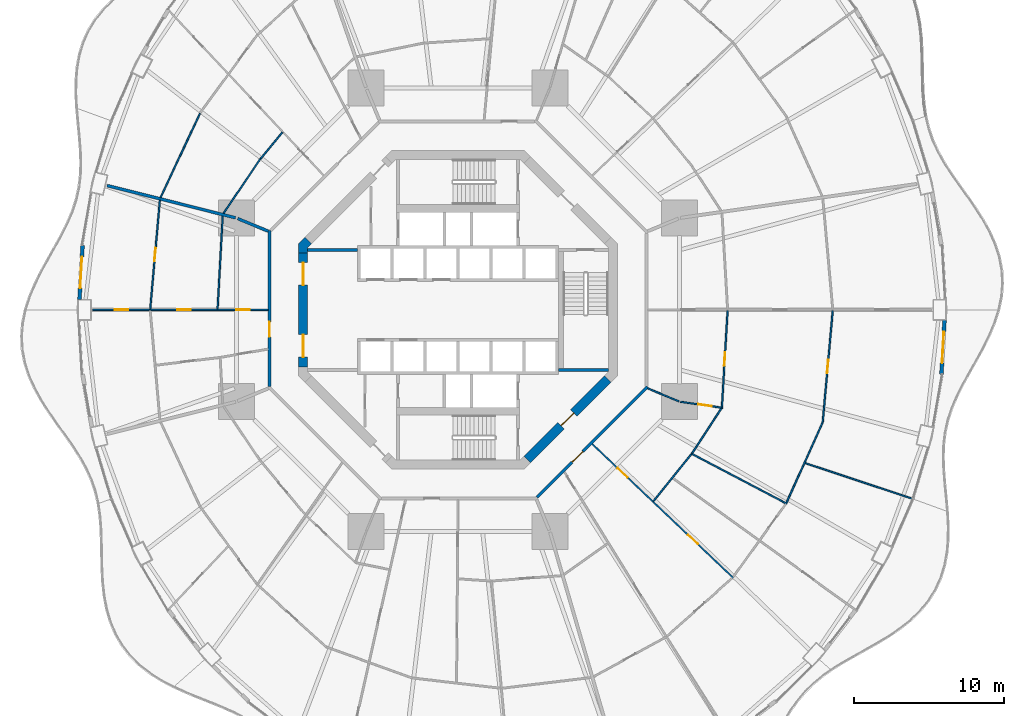
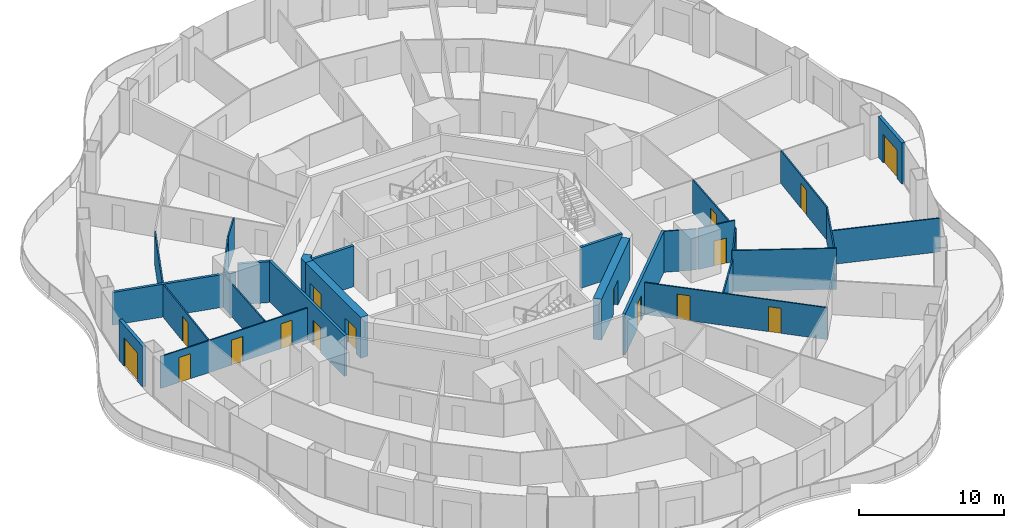
# One storey, part 16 of 22: 27 walls, 16 doors, 16 openings.
"""IFC4 building model written with IfcOpenShell, lengths in metres."""

from ifc_helpers import new_model, si_unit, direction, frame, frame_2d, origin, place, context, subcontext, project, spatial, polyline, rectangle, outline, extrude, material, layer, layer_set, type_object, element, fill, save


model = new_model("IFC4")

# Units and contexts
model_context = context("Model", 3, precision=1e-05, world=origin(), true_north=direction((0.0, 1.0)))
body_context = subcontext(model_context, "Body", "Model", "MODEL_VIEW")
ifc_project = project(units=[si_unit("LENGTHUNIT", "METRE"), si_unit("AREAUNIT", "SQUARE_METRE"), si_unit("VOLUMEUNIT", "CUBIC_METRE"), si_unit("PLANEANGLEUNIT", "RADIAN"), si_unit("MASSUNIT", "GRAM", prefix="KILO")], contexts=[model_context])

# Site, building, storey
site_placement = place(None, origin())
site = spatial("IfcSite", under=ifc_project, at=site_placement, CompositionType="ELEMENT")
building_placement = place(site_placement, origin())
building = spatial("IfcBuilding", under=site, at=building_placement, Name="Nagisa Residences", CompositionType="ELEMENT")
storey_placement = place(building_placement, frame((0.0, 0.0, 52.89990234375)))
storey = spatial("IfcBuildingStorey", under=building, at=storey_placement, Name="L12", CompositionType="ELEMENT", Elevation=52.89990234375)

# Walls
ifc_material_1 = material(Name="Gypsum board on steel studs", Category="steel")
ifc_layer_1 = layer(ifc_material_1, 0.199951171875)
ifc_layer_set_1 = layer_set([ifc_layer_1], Name="Apartment compartment wall EI60 200")
wall_type_1 = type_object("IfcWallType", Name="Apartment compartment wall EI60 200", PredefinedType="PARTITIONING", material=ifc_layer_set_1)
wall_1_placement = place(storey_placement, frame((-12.6572265625, 5.24267578125, 0.0), z_axis=(0.0, 0.0, 1.0), x_axis=(-0.923885664896, 0.382668627144, 0.0)))
element("IfcWall", 1, at=wall_1_placement, inside=storey, type_object=wall_type_1, Name="wall:L12:u04", PredefinedType="PARTITIONING", context=body_context, shape_type="SweptSolid", body=[
    extrude(rectangle(XDim=2.200439453125, YDim=0.199951171875, at=frame_2d((1.10009765625, 0.0))), origin(), (0.0, 0.0, 1.0), 3.440185546875),
])
wall_2_placement = place(storey_placement, frame((-14.83056640625, 6.135009765625, 0.0), z_axis=(0.0, 0.0, 1.0), x_axis=(-0.969884949569, 0.243563512454, 0.0)))
element("IfcWall", 2, at=wall_2_placement, inside=storey, type_object=wall_type_1, Name="wall:L12:u05", PredefinedType="PARTITIONING", context=body_context, shape_type="SweptSolid", body=[
    extrude(rectangle(XDim=8.828857421875, YDim=0.199951171875, at=frame_2d((4.41455078125, 0.0))), origin(), (0.0, 0.0, 1.0), 2.756103515625),
])

# Wall, opening, door
ifc_material_2 = material(Name="Gypsum board on steel studs", Category="steel")
ifc_layer_2 = layer(ifc_material_2, 0.199951171875)
ifc_layer_set_2 = layer_set([ifc_layer_2], Name="Apartment entry wall EI60 200")
wall_type_2 = type_object("IfcWallType", Name="Apartment entry wall EI60 200", PredefinedType="PARTITIONING", material=ifc_layer_set_2)
wall_3_placement = place(storey_placement, frame((-12.564697265625, 5.304443359375, 0.0), z_axis=(0.0, 0.0, 1.0), x_axis=(0.0, -1.0, 0.0)))
wall_3 = element("IfcWall", 3, at=wall_3_placement, inside=storey, type_object=wall_type_2, Name="wall:L12:u14", PredefinedType="PARTITIONING", context=body_context, shape_type="SweptSolid", body=[
    extrude(rectangle(XDim=10.408935546875, YDim=0.199951171875, at=frame_2d((5.20458984375, 0.0))), origin(), (0.0, 0.0, 1.0), 3.440185546875),
])
opening_1_placement = place(wall_3_placement, frame((6.105712890625, 0.0, 0.0)))
opening_1 = element("IfcOpeningElement", 4, at=opening_1_placement, cuts=wall_3, Name="Opening L12-U08", PredefinedType="OPENING", context=body_context, shape_type="SweptSolid", body=[
    extrude(rectangle(XDim=1.0, YDim=2.10009765625, at=frame_2d((0.5, 1.050048828125))), frame((0.0, 0.10986328125, 0.0), z_axis=(0.0, -1.0, 0.0), x_axis=(1.0, 0.0, 0.0)), (0.0, 0.0, 1.0), 0.219970703125),
])
ifc_material_3 = material(Name="Timber fire door set", Category="wood")
door_type_1 = type_object("IfcDoorType", Name="Apartment entry door FD30S 1000x2100", OperationType="NOTDEFINED", PredefinedType="DOOR", material=ifc_material_3)
door_1_placement = place(opening_1_placement, frame((1.0, 0.0, 0.0), x_axis=(-1.0, 0.0, 0.0)))
door_1 = element("IfcDoor", 5, at=door_1_placement, inside=storey, type_object=door_type_1, Name="Entry door, Apartment 12B", OperationType="SINGLE_SWING_LEFT", OverallHeight=2.10009765625, OverallWidth=1.0, PredefinedType="DOOR", context=body_context, shape_type="SweptSolid", body=[
    extrude(rectangle(XDim=1.0, YDim=2.10009765625, at=frame_2d((0.5, 1.050048828125))), frame((0.0, 0.02490234375, 0.0), z_axis=(0.0, -1.0, 0.0), x_axis=(1.0, 0.0, 0.0)), (0.0, 0.0, 1.0), 0.050048828125),
])
fill(opening_1, door_1)

wall_4_placement = place(storey_placement, frame((5.275146484375, -12.494140625, 0.0), z_axis=(0.0, 0.0, 1.0), x_axis=(0.707106781187, 0.707106781187, 0.0)))
wall_4 = element("IfcWall", 6, at=wall_4_placement, inside=storey, type_object=wall_type_2, Name="wall:L12:u17", PredefinedType="PARTITIONING", context=body_context, shape_type="SweptSolid", body=[
    extrude(rectangle(XDim=10.4091796875, YDim=0.199951171875, at=frame_2d((5.20458984375, 0.0))), origin(), (0.0, 0.0, 1.0), 3.440185546875),
])
opening_2_placement = place(wall_4_placement, frame((3.303466796875, 0.0, 0.0)))
opening_2 = element("IfcOpeningElement", 7, at=opening_2_placement, cuts=wall_4, Name="Opening L12-U28", PredefinedType="OPENING", context=body_context, shape_type="SweptSolid", body=[
    extrude(rectangle(XDim=1.0, YDim=2.10009765625, at=frame_2d((0.5, 1.050048828125))), frame((0.0, 0.10986328125, 0.0), z_axis=(0.0, -1.0, 0.0), x_axis=(1.0, 0.0, 0.0)), (0.0, 0.0, 1.0), 0.219970703125),
])
door_2_placement = place(opening_2_placement, frame((1.0, 0.0, 0.0), x_axis=(-1.0, 0.0, 0.0)))
door_2 = element("IfcDoor", 8, at=door_2_placement, inside=storey, type_object=door_type_1, Name="Entry door, Apartment 12D", OperationType="SINGLE_SWING_LEFT", OverallHeight=2.10009765625, OverallWidth=1.0, PredefinedType="DOOR", context=body_context, shape_type="SweptSolid", body=[
    extrude(rectangle(XDim=1.0, YDim=2.10009765625, at=frame_2d((0.5, 1.050048828125))), frame((0.0, 0.02490234375, 0.0), z_axis=(0.0, -1.0, 0.0), x_axis=(1.0, 0.0, 0.0)), (0.0, 0.0, 1.0), 0.050048828125),
])
fill(opening_2, door_2)

ifc_material_4 = material(Name="Gypsum board on steel studs", Category="steel")
ifc_layer_3 = layer(ifc_material_4, 0.10009765625)
ifc_layer_set_3 = layer_set([ifc_layer_3], Name="Apartment partition 100")
wall_type_3 = type_object("IfcWallType", Name="Apartment partition 100", PredefinedType="PARTITIONING", material=ifc_layer_set_3)
wall_5_placement = place(storey_placement, frame((17.971435546875, -0.0498046875, 0.0), z_axis=(0.0, 0.0, 1.0), x_axis=(-0.058476853647, -0.998288764631, 0.0)))
wall_5 = element("IfcWall", 9, at=wall_5_placement, inside=storey, type_object=wall_type_3, Name="wall:L12:u20", PredefinedType="PARTITIONING", context=body_context, shape_type="SweptSolid", body=[
    extrude(rectangle(XDim=6.5380859375, YDim=0.10009765625, at=frame_2d((3.26904296875, 0.0))), origin(), (0.0, 0.0, 1.0), 2.756103515625),
])
opening_3_placement = place(wall_5_placement, frame((2.7939453125, 0.0, 0.0)))
opening_3 = element("IfcOpeningElement", 10, at=opening_3_placement, cuts=wall_5, Name="Opening L12-U35", PredefinedType="OPENING", context=body_context, shape_type="SweptSolid", body=[
    extrude(rectangle(XDim=0.89990234375, YDim=2.10009765625, at=frame_2d((0.449951171875, 1.050048828125))), frame((0.0, 0.06005859375, 0.0), z_axis=(0.0, -1.0, 0.0), x_axis=(1.0, 0.0, 0.0)), (0.0, 0.0, 1.0), 0.1201171875),
])
ifc_material_5 = material(Name="Timber door set", Category="wood")
door_type_2 = type_object("IfcDoorType", Name="Apartment door 900x2100", OperationType="NOTDEFINED", PredefinedType="DOOR", material=ifc_material_5)
door_3_placement = place(opening_3_placement, origin())
door_3 = element("IfcDoor", 11, at=door_3_placement, inside=storey, type_object=door_type_2, Name="Door to dining room, Apartment 12D", OperationType="SINGLE_SWING_LEFT", OverallHeight=2.10009765625, OverallWidth=0.89990234375, PredefinedType="DOOR", context=body_context, shape_type="SweptSolid", body=[
    extrude(rectangle(XDim=0.89990234375, YDim=2.10009765625, at=frame_2d((0.449951171875, 1.050048828125))), frame((0.0, 0.02490234375, 0.0), z_axis=(0.0, -1.0, 0.0), x_axis=(1.0, 0.0, 0.0)), (0.0, 0.0, 1.0), 0.050048828125),
])
fill(opening_3, door_3)

wall_6_placement = place(storey_placement, frame((24.982177734375, -0.0498046875, 0.0), z_axis=(0.0, 0.0, 1.0), x_axis=(-0.089444214321, -0.995991833563, 0.0)))
wall_6 = element("IfcWall", 12, at=wall_6_placement, inside=storey, type_object=wall_type_3, Name="wall:L12:u22", PredefinedType="PARTITIONING", context=body_context, shape_type="SweptSolid", body=[
    extrude(rectangle(XDim=7.522705078125, YDim=0.10009765625, at=frame_2d((3.76123046875, 0.0))), origin(), (0.0, 0.0, 1.0), 2.756103515625),
])
opening_4_placement = place(wall_6_placement, frame((3.286376953125, 0.0, 0.0)))
opening_4 = element("IfcOpeningElement", 13, at=opening_4_placement, cuts=wall_6, Name="Opening L12-U40", PredefinedType="OPENING", context=body_context, shape_type="SweptSolid", body=[
    extrude(rectangle(XDim=0.89990234375, YDim=2.10009765625, at=frame_2d((0.449951171875, 1.050048828125))), frame((0.0, 0.06005859375, 0.0), z_axis=(0.0, -1.0, 0.0), x_axis=(1.0, 0.0, 0.0)), (0.0, 0.0, 1.0), 0.1201171875),
])
door_4_placement = place(opening_4_placement, origin())
door_4 = element("IfcDoor", 14, at=door_4_placement, inside=storey, type_object=door_type_2, Name="Door to living room, Apartment 12D", OperationType="SINGLE_SWING_RIGHT", OverallHeight=2.10009765625, OverallWidth=0.89990234375, PredefinedType="DOOR", context=body_context, shape_type="SweptSolid", body=[
    extrude(rectangle(XDim=0.89990234375, YDim=2.10009765625, at=frame_2d((0.449951171875, 1.050048828125))), frame((0.0, 0.02490234375, 0.0), z_axis=(0.0, -1.0, 0.0), x_axis=(1.0, 0.0, 0.0)), (0.0, 0.0, 1.0), 0.050048828125),
])
fill(opening_4, door_4)

# Walls
wall_7_placement = place(storey_placement, frame((-11.70458984375, 11.824951171875, 0.0), z_axis=(0.0, 0.0, 1.0), x_axis=(-0.640861724905, -0.767656335577, 0.0)))
element("IfcWall", 15, at=wall_7_placement, inside=storey, type_object=wall_type_3, Name="wall:L12:u50", PredefinedType="PARTITIONING", context=body_context, shape_type="SweptSolid", body=[
    extrude(rectangle(XDim=2.268310546875, YDim=0.10009765625, at=frame_2d((1.13427734375, 0.0))), origin(), (0.0, 0.0, 1.0), 2.756103515625),
])
wall_8_placement = place(storey_placement, frame((-13.162353515625, 10.086669921875, 0.0), z_axis=(0.0, 0.0, 1.0), x_axis=(-0.55912750241, -0.829081682375, 0.0)))
element("IfcWall", 16, at=wall_8_placement, inside=storey, type_object=wall_type_3, Name="wall:L12:u51", PredefinedType="PARTITIONING", context=body_context, shape_type="SweptSolid", body=[
    extrude(rectangle(XDim=4.407958984375, YDim=0.10009765625, at=frame_2d((2.2041015625, 0.0))), origin(), (0.0, 0.0, 1.0), 2.756103515625),
])
wall_9_placement = place(storey_placement, frame((-17.20263671875, 13.0947265625, 0.0), z_axis=(0.0, 0.0, 1.0), x_axis=(-0.423926333401, -0.905696673202, 0.0)))
element("IfcWall", 17, at=wall_9_placement, inside=storey, type_object=wall_type_3, Name="wall:L12:u52", PredefinedType="PARTITIONING", context=body_context, shape_type="SweptSolid", body=[
    extrude(rectangle(XDim=6.1875, YDim=0.10009765625, at=frame_2d((3.09375, 0.0))), origin(), (0.0, 0.0, 1.0), 2.756103515625),
])
wall_10_placement = place(storey_placement, frame((-15.688232421875, 6.249267578125, 0.0), z_axis=(0.0, 0.0, 1.0), x_axis=(-0.054659814056, -0.998505034903, 0.0)))
element("IfcWall", 18, at=wall_10_placement, inside=storey, type_object=wall_type_3, Name="wall:L12:u53", PredefinedType="PARTITIONING", context=body_context, shape_type="SweptSolid", body=[
    extrude(rectangle(XDim=6.20849609375, YDim=0.10009765625, at=frame_2d((3.104248046875, 0.0))), origin(), (0.0, 0.0, 1.0), 2.756103515625),
])

# Wall, opening, door
wall_11_placement = place(storey_placement, frame((-19.876708984375, 7.300537109375, 0.0), z_axis=(0.0, 0.0, 1.0), x_axis=(-0.088143415068, -0.996107794558, 0.0)))
wall_11 = element("IfcWall", 19, at=wall_11_placement, inside=storey, type_object=wall_type_3, Name="wall:L12:u54", PredefinedType="PARTITIONING", context=body_context, shape_type="SweptSolid", body=[
    extrude(rectangle(XDim=7.279052734375, YDim=0.10009765625, at=frame_2d((3.6396484375, 0.0))), origin(), (0.0, 0.0, 1.0), 2.756103515625),
])
opening_5_placement = place(wall_11_placement, frame((3.189453125, 0.0, 0.0)))
opening_5 = element("IfcOpeningElement", 20, at=opening_5_placement, cuts=wall_11, Name="Opening L12-U13", PredefinedType="OPENING", context=body_context, shape_type="SweptSolid", body=[
    extrude(rectangle(XDim=0.89990234375, YDim=2.10009765625, at=frame_2d((0.449951171875, 1.050048828125))), frame((0.0, 0.06005859375, 0.0), z_axis=(0.0, -1.0, 0.0), x_axis=(1.0, 0.0, 0.0)), (0.0, 0.0, 1.0), 0.1201171875),
])
door_5_placement = place(opening_5_placement, frame((0.89990234375, 0.0, 0.0), x_axis=(-1.0, 0.0, 0.0)))
door_5 = element("IfcDoor", 21, at=door_5_placement, inside=storey, type_object=door_type_2, Name="Door to family room, Apartment 12B", OperationType="SINGLE_SWING_RIGHT", OverallHeight=2.10009765625, OverallWidth=0.89990234375, PredefinedType="DOOR", context=body_context, shape_type="SweptSolid", body=[
    extrude(rectangle(XDim=0.89990234375, YDim=2.10009765625, at=frame_2d((0.449951171875, 1.050048828125))), frame((0.0, 0.02490234375, 0.0), z_axis=(0.0, -1.0, 0.0), x_axis=(1.0, 0.0, 0.0)), (0.0, 0.0, 1.0), 0.050048828125),
])
fill(opening_5, door_5)

# Wall, openings, doors
wall_12_placement = place(storey_placement, frame((-12.664794921875, 0.0, 0.0), z_axis=(0.0, 0.0, 1.0), x_axis=(-1.0, 0.0, 0.0)))
wall_12 = element("IfcWall", 22, at=wall_12_placement, inside=storey, type_object=wall_type_3, Name="wall:L12:u55", PredefinedType="PARTITIONING", context=body_context, shape_type="SweptSolid", body=[
    extrude(rectangle(XDim=11.685302734375, YDim=0.10009765625, at=frame_2d((5.8427734375, 0.0))), origin(), (0.0, 0.0, 1.0), 2.68701171875),
])
opening_6_placement = place(wall_12_placement, frame((1.23291015625, 0.0, 0.0)))
opening_6 = element("IfcOpeningElement", 23, at=opening_6_placement, cuts=wall_12, Name="Opening L12-U09", PredefinedType="OPENING", context=body_context, shape_type="SweptSolid", body=[
    extrude(rectangle(XDim=0.89990234375, YDim=2.10009765625, at=frame_2d((0.449951171875, 1.050048828125))), frame((0.0, 0.06005859375, 0.0), z_axis=(0.0, -1.0, 0.0), x_axis=(1.0, 0.0, 0.0)), (0.0, 0.0, 1.0), 0.1201171875),
])
opening_7_placement = place(wall_12_placement, frame((5.16162109375, 0.0, 0.0)))
opening_7 = element("IfcOpeningElement", 24, at=opening_7_placement, cuts=wall_12, Name="Opening L12-U11", PredefinedType="OPENING", context=body_context, shape_type="SweptSolid", body=[
    extrude(rectangle(XDim=0.89990234375, YDim=2.10009765625, at=frame_2d((0.449951171875, 1.050048828125))), frame((0.0, 0.06005859375, 0.0), z_axis=(0.0, -1.0, 0.0), x_axis=(1.0, 0.0, 0.0)), (0.0, 0.0, 1.0), 0.1201171875),
])
opening_8_placement = place(wall_12_placement, frame((9.321533203125, 0.0, 0.0)))
opening_8 = element("IfcOpeningElement", 25, at=opening_8_placement, cuts=wall_12, Name="Opening L12-U14", PredefinedType="OPENING", context=body_context, shape_type="SweptSolid", body=[
    extrude(rectangle(XDim=0.89990234375, YDim=2.10009765625, at=frame_2d((0.449951171875, 1.050048828125))), frame((0.0, 0.06005859375, 0.0), z_axis=(0.0, -1.0, 0.0), x_axis=(1.0, 0.0, 0.0)), (0.0, 0.0, 1.0), 0.1201171875),
])
door_6_placement = place(opening_6_placement, frame((0.89990234375, 0.0, 0.0), x_axis=(-1.0, 0.0, 0.0)))
door_6 = element("IfcDoor", 26, at=door_6_placement, inside=storey, type_object=door_type_2, Name="Door to store, Apartment 12B", OperationType="SINGLE_SWING_RIGHT", OverallHeight=2.10009765625, OverallWidth=0.89990234375, PredefinedType="DOOR", context=body_context, shape_type="SweptSolid", body=[
    extrude(rectangle(XDim=0.89990234375, YDim=2.10009765625, at=frame_2d((0.449951171875, 1.050048828125))), frame((0.0, 0.02490234375, 0.0), z_axis=(0.0, -1.0, 0.0), x_axis=(1.0, 0.0, 0.0)), (0.0, 0.0, 1.0), 0.050048828125),
])
fill(opening_6, door_6)
door_7_placement = place(opening_7_placement, frame((0.89990234375, 0.0, 0.0), x_axis=(-1.0, 0.0, 0.0)))
door_7 = element("IfcDoor", 27, at=door_7_placement, inside=storey, type_object=door_type_2, Name="Door to kitchen, Apartment 12B", OperationType="SINGLE_SWING_RIGHT", OverallHeight=2.10009765625, OverallWidth=0.89990234375, PredefinedType="DOOR", context=body_context, shape_type="SweptSolid", body=[
    extrude(rectangle(XDim=0.89990234375, YDim=2.10009765625, at=frame_2d((0.449951171875, 1.050048828125))), frame((0.0, 0.02490234375, 0.0), z_axis=(0.0, -1.0, 0.0), x_axis=(1.0, 0.0, 0.0)), (0.0, 0.0, 1.0), 0.050048828125),
])
fill(opening_7, door_7)
door_8_placement = place(opening_8_placement, origin())
door_8 = element("IfcDoor", 28, at=door_8_placement, inside=storey, type_object=door_type_2, Name="Door to bedroom, Apartment 12B", OperationType="SINGLE_SWING_RIGHT", OverallHeight=2.10009765625, OverallWidth=0.89990234375, PredefinedType="DOOR", context=body_context, shape_type="SweptSolid", body=[
    extrude(rectangle(XDim=0.89990234375, YDim=2.10009765625, at=frame_2d((0.449951171875, 1.050048828125))), frame((0.0, 0.02490234375, 0.0), z_axis=(0.0, -1.0, 0.0), x_axis=(1.0, 0.0, 0.0)), (0.0, 0.0, 1.0), 0.050048828125),
])
fill(opening_8, door_8)

wall_13_placement = place(storey_placement, frame((8.95703125, -8.953369140625, 0.0), z_axis=(0.0, 0.0, 1.0), x_axis=(0.725250022034, -0.688485588476, 0.0)))
wall_13 = element("IfcWall", 29, at=wall_13_placement, inside=storey, type_object=wall_type_3, Name="wall:L12:u83", PredefinedType="PARTITIONING", context=body_context, shape_type="SweptSolid", body=[
    extrude(rectangle(XDim=12.962646484375, YDim=0.10009765625, at=frame_2d((6.4814453125, 0.0))), origin(), (0.0, 0.0, 1.0), 2.68701171875),
])
opening_9_placement = place(wall_13_placement, frame((2.33349609375, 0.0, 0.0)))
opening_9 = element("IfcOpeningElement", 30, at=opening_9_placement, cuts=wall_13, Name="Opening L12-U30", PredefinedType="OPENING", context=body_context, shape_type="SweptSolid", body=[
    extrude(rectangle(XDim=0.89990234375, YDim=2.10009765625, at=frame_2d((0.449951171875, 1.050048828125))), frame((0.0, 0.06005859375, 0.0), z_axis=(0.0, -1.0, 0.0), x_axis=(1.0, 0.0, 0.0)), (0.0, 0.0, 1.0), 0.1201171875),
])
opening_10_placement = place(wall_13_placement, frame((8.78955078125, 0.0, 0.0)))
opening_10 = element("IfcOpeningElement", 31, at=opening_10_placement, cuts=wall_13, Name="Opening L12-U34", PredefinedType="OPENING", context=body_context, shape_type="SweptSolid", body=[
    extrude(rectangle(XDim=0.89990234375, YDim=2.10009765625, at=frame_2d((0.449951171875, 1.050048828125))), frame((0.0, 0.06005859375, 0.0), z_axis=(0.0, -1.0, 0.0), x_axis=(1.0, 0.0, 0.0)), (0.0, 0.0, 1.0), 0.1201171875),
])
door_9_placement = place(opening_9_placement, origin())
door_9 = element("IfcDoor", 32, at=door_9_placement, inside=storey, type_object=door_type_2, Name="Door to store, Apartment 12D", OperationType="SINGLE_SWING_RIGHT", OverallHeight=2.10009765625, OverallWidth=0.89990234375, PredefinedType="DOOR", context=body_context, shape_type="SweptSolid", body=[
    extrude(rectangle(XDim=0.89990234375, YDim=2.10009765625, at=frame_2d((0.449951171875, 1.050048828125))), frame((0.0, 0.02490234375, 0.0), z_axis=(0.0, -1.0, 0.0), x_axis=(1.0, 0.0, 0.0)), (0.0, 0.0, 1.0), 0.050048828125),
])
fill(opening_9, door_9)
door_10_placement = place(opening_10_placement, origin())
door_10 = element("IfcDoor", 33, at=door_10_placement, inside=storey, type_object=door_type_2, Name="Door to family bathroom, Apartment 12D", OperationType="SINGLE_SWING_RIGHT", OverallHeight=2.10009765625, OverallWidth=0.89990234375, PredefinedType="DOOR", context=body_context, shape_type="SweptSolid", body=[
    extrude(rectangle(XDim=0.89990234375, YDim=2.10009765625, at=frame_2d((0.449951171875, 1.050048828125))), frame((0.0, 0.02490234375, 0.0), z_axis=(0.0, -1.0, 0.0), x_axis=(1.0, 0.0, 0.0)), (0.0, 0.0, 1.0), 0.050048828125),
])
fill(opening_10, door_10)

# Walls
wall_14_placement = place(storey_placement, frame((13.02587890625, -12.747314453125, 0.0), z_axis=(0.0, 0.0, 1.0), x_axis=(0.630126826288, 0.776492229705, 0.0)))
element("IfcWall", 34, at=wall_14_placement, inside=storey, type_object=wall_type_3, Name="wall:L12:u84", PredefinedType="PARTITIONING", context=body_context, shape_type="SweptSolid", body=[
    extrude(rectangle(XDim=4.006591796875, YDim=0.10009765625, at=frame_2d((2.00341796875, 0.0))), origin(), (0.0, 0.0, 1.0), 2.756103515625),
])
wall_15_placement = place(storey_placement, frame((15.537841796875, -9.57421875, 0.0), z_axis=(0.0, 0.0, 1.0), x_axis=(0.88517945493, -0.465249752895, 0.0)))
element("IfcWall", 35, at=wall_15_placement, inside=storey, type_object=wall_type_3, Name="wall:L12:u87", PredefinedType="PARTITIONING", context=body_context, shape_type="SweptSolid", body=[
    extrude(rectangle(XDim=7.213134765625, YDim=0.10009765625, at=frame_2d((3.6064453125, 0.0))), origin(), (0.0, 0.0, 1.0), 3.440185546875),
])
wall_16_placement = place(storey_placement, frame((15.609375, -9.5556640625, 0.0), z_axis=(0.0, 0.0, 1.0), x_axis=(0.547641765292, 0.836712911881, 0.0)))
element("IfcWall", 36, at=wall_16_placement, inside=storey, type_object=wall_type_3, Name="wall:L12:u88", PredefinedType="PARTITIONING", context=body_context, shape_type="SweptSolid", body=[
    extrude(rectangle(XDim=3.570068359375, YDim=0.10009765625, at=frame_2d((1.78515625, 0.0))), origin(), (0.0, 0.0, 1.0), 2.756103515625),
])
wall_17_placement = place(storey_placement, frame((21.89892578125, -12.861328125, 0.0), z_axis=(0.0, 0.0, 1.0), x_axis=(0.410197710154, 0.911996622025, 0.0)))
element("IfcWall", 37, at=wall_17_placement, inside=storey, type_object=wall_type_3, Name="wall:L12:u89", PredefinedType="PARTITIONING", context=body_context, shape_type="SweptSolid", body=[
    extrude(rectangle(XDim=5.8369140625, YDim=0.10009765625, at=frame_2d((2.91845703125, 0.0))), origin(), (0.0, 0.0, 1.0), 2.756103515625),
])
wall_18_placement = place(storey_placement, frame((23.1435546875, -10.215576171875, 0.0), z_axis=(0.0, 0.0, 1.0), x_axis=(0.948811715359, -0.315842253027, 0.0)))
element("IfcWall", 38, at=wall_18_placement, inside=storey, type_object=wall_type_3, Name="wall:L12:u90", PredefinedType="PARTITIONING", context=body_context, shape_type="SweptSolid", body=[
    extrude(rectangle(XDim=7.599853515625, YDim=0.10009765625, at=frame_2d((3.7998046875, 0.0))), origin(), (0.0, 0.0, 1.0), 2.837158203125),
])
wall_19_placement = place(storey_placement, frame((12.6572265625, -5.24267578125, 0.0), z_axis=(0.0, 0.0, 1.0), x_axis=(0.923864733477, -0.382719158442, 0.0)))
element("IfcWall", 39, at=wall_19_placement, inside=storey, type_object=wall_type_3, Name="wall:L12:u91", PredefinedType="PARTITIONING", context=body_context, shape_type="SweptSolid", body=[
    extrude(rectangle(XDim=2.25, YDim=0.10009765625, at=frame_2d((1.125, 0.0))), origin(), (0.0, 0.0, 1.0), 3.440185546875),
])

# Wall, opening, door
wall_20_placement = place(storey_placement, frame((14.83154296875, -6.130126953125, 0.0), z_axis=(0.0, 0.0, 1.0), x_axis=(0.989840446863, -0.142182593007, 0.0)))
wall_20 = element("IfcWall", 40, at=wall_20_placement, inside=storey, type_object=wall_type_3, Name="wall:L12:u92", PredefinedType="PARTITIONING", context=body_context, shape_type="SweptSolid", body=[
    extrude(rectangle(XDim=2.73876953125, YDim=0.10009765625, at=frame_2d((1.369384765625, 0.0))), origin(), (0.0, 0.0, 1.0), 3.440185546875),
])
opening_11_placement = place(wall_20_placement, frame((1.197021484375, 0.0, 0.0)))
opening_11 = element("IfcOpeningElement", 41, at=opening_11_placement, cuts=wall_20, Name="Opening L12-U31", PredefinedType="OPENING", context=body_context, shape_type="SweptSolid", body=[
    extrude(rectangle(XDim=0.89990234375, YDim=2.10009765625, at=frame_2d((0.449951171875, 1.050048828125))), frame((0.0, 0.06005859375, 0.0), z_axis=(0.0, -1.0, 0.0), x_axis=(1.0, 0.0, 0.0)), (0.0, 0.0, 1.0), 0.1201171875),
])
door_11_placement = place(opening_11_placement, origin())
door_11 = element("IfcDoor", 42, at=door_11_placement, inside=storey, type_object=door_type_2, Name="Door to laundry, Apartment 12D", OperationType="SINGLE_SWING_LEFT", OverallHeight=2.10009765625, OverallWidth=0.89990234375, PredefinedType="DOOR", context=body_context, shape_type="SweptSolid", body=[
    extrude(rectangle(XDim=0.89990234375, YDim=2.10009765625, at=frame_2d((0.449951171875, 1.050048828125))), frame((0.0, 0.02490234375, 0.0), z_axis=(0.0, -1.0, 0.0), x_axis=(1.0, 0.0, 0.0)), (0.0, 0.0, 1.0), 0.050048828125),
])
fill(opening_11, door_11)

ifc_material_6 = material(Name="Precast concrete C40/50", Category="concrete")
ifc_layer_4 = layer(ifc_material_6, 0.25)
ifc_layer_set_4 = layer_set([ifc_layer_4], Name="BALCONY DOOR WALL 250")
wall_type_4 = type_object("IfcWallType", Name="BALCONY DOOR WALL 250", PredefinedType="SOLIDWALL", material=ifc_layer_set_4)
wall_21_placement = place(storey_placement, frame((-25.23486328125, 0.691650390625, 0.0), z_axis=(0.0, 0.0, 1.0), x_axis=(0.057478727308, 0.998346731305, 0.0)))
wall_21 = element("IfcWall", 43, at=wall_21_placement, inside=storey, type_object=wall_type_4, Name="wall:L12:bay23", PredefinedType="SOLIDWALL", context=body_context, shape_type="SweptSolid", body=[
    extrude(rectangle(XDim=3.614501953125, YDim=0.25, at=frame_2d((1.80712890625, 0.0))), origin(), (0.0, 0.0, 1.0), 3.440185546875),
])
opening_12_placement = place(wall_21_placement, frame((0.75732421875, 0.0, 0.0)))
opening_12 = element("IfcOpeningElement", 44, at=opening_12_placement, cuts=wall_21, Name="Opening BD-L12-08", PredefinedType="OPENING", context=body_context, shape_type="SweptSolid", body=[
    extrude(rectangle(XDim=2.10009765625, YDim=2.39990234375, at=frame_2d((1.050048828125, 1.199951171875))), frame((0.0, 0.135009765625, 0.0), z_axis=(0.0, -1.0, 0.0), x_axis=(1.0, 0.0, 0.0)), (0.0, 0.0, 1.0), 0.27001953125),
])
ifc_material_7 = material(Name="Aluminium and clear glass", Category="aluminium")
door_type_3 = type_object("IfcDoorType", Name="BALCONY SLIDING DOOR 2100x2400", OperationType="SLIDING_TO_LEFT", PredefinedType="DOOR", material=ifc_material_7)
door_12_placement = place(opening_12_placement, origin())
door_12 = element("IfcDoor", 45, at=door_12_placement, inside=storey, type_object=door_type_3, Name="door:L12:bay23", OperationType="SLIDING_TO_LEFT", OverallHeight=2.39990234375, OverallWidth=2.10009765625, PredefinedType="DOOR", context=body_context, shape_type="SweptSolid", body=[
    extrude(rectangle(XDim=2.10009765625, YDim=2.39990234375, at=frame_2d((1.050048828125, 1.199951171875))), frame((0.0, 0.02490234375, 0.0), z_axis=(0.0, -1.0, 0.0), x_axis=(1.0, 0.0, 0.0)), (0.0, 0.0, 1.0), 0.050048828125),
])
fill(opening_12, door_12)

wall_22_placement = place(storey_placement, frame((32.43505859375, -0.691650390625, 0.0), z_axis=(0.0, 0.0, 1.0), x_axis=(-0.057546046339, -0.998342853208, 0.0)))
wall_22 = element("IfcWall", 46, at=wall_22_placement, inside=storey, type_object=wall_type_4, Name="wall:L12:bay47", PredefinedType="SOLIDWALL", context=body_context, shape_type="SweptSolid", body=[
    extrude(rectangle(XDim=3.61474609375, YDim=0.25, at=frame_2d((1.807373046875, 0.0))), origin(), (0.0, 0.0, 1.0), 3.440185546875),
])
opening_13_placement = place(wall_22_placement, frame((0.75732421875, 0.0, 0.0)))
opening_13 = element("IfcOpeningElement", 47, at=opening_13_placement, cuts=wall_22, Name="Opening BD-L12-16", PredefinedType="OPENING", context=body_context, shape_type="SweptSolid", body=[
    extrude(rectangle(XDim=2.10009765625, YDim=2.39990234375, at=frame_2d((1.050048828125, 1.199951171875))), frame((0.0, 0.135009765625, 0.0), z_axis=(0.0, -1.0, 0.0), x_axis=(1.0, 0.0, 0.0)), (0.0, 0.0, 1.0), 0.27001953125),
])
door_13_placement = place(opening_13_placement, origin())
door_13 = element("IfcDoor", 48, at=door_13_placement, inside=storey, type_object=door_type_3, Name="door:L12:bay47", OperationType="SLIDING_TO_LEFT", OverallHeight=2.39990234375, OverallWidth=2.10009765625, PredefinedType="DOOR", context=body_context, shape_type="SweptSolid", body=[
    extrude(rectangle(XDim=2.10009765625, YDim=2.39990234375, at=frame_2d((1.050048828125, 1.199951171875))), frame((0.0, 0.02490234375, 0.0), z_axis=(0.0, -1.0, 0.0), x_axis=(1.0, 0.0, 0.0)), (0.0, 0.0, 1.0), 0.050048828125),
])
fill(opening_13, door_13)

# Wall
ifc_material_8 = material(Name="Gypsum board on steel studs", Category="steel")
ifc_layer_5 = layer(ifc_material_8, 0.199951171875)
ifc_layer_set_5 = layer_set([ifc_layer_5], Name="Core partition 200")
wall_type_5 = type_object("IfcWallType", Name="Core partition 200", PredefinedType="PARTITIONING", material=ifc_layer_set_5)
wall_23_placement = place(storey_placement, frame((-10.024658203125, 4.0, 0.0), z_axis=(0.0, 0.0, 1.0), x_axis=(1.0, 0.0, 0.0)))
element("IfcWall", 49, at=wall_23_placement, inside=storey, type_object=wall_type_5, Name="wall:L12:PNW", PredefinedType="PARTITIONING", context=body_context, shape_type="SweptSolid", body=[
    extrude(rectangle(XDim=3.32470703125, YDim=0.199951171875, at=frame_2d((1.662353515625, 0.0))), origin(), (0.0, 0.0, 1.0), 3.440185546875),
])

# Wall, openings, doors
ifc_material_9 = material(Name="Concrete C60", Category="concrete")
ifc_layer_6 = layer(ifc_material_9, 0.60009765625)
ifc_layer_set_6 = layer_set([ifc_layer_6], Name="Core shear wall 600")
wall_type_6 = type_object("IfcWallType", Name="Core shear wall 600", PredefinedType="SHEAR", material=ifc_layer_set_6)
wall_24_placement = place(storey_placement, frame((-10.32470703125, 3.80078125, 0.0), z_axis=(0.0, 0.0, 1.0), x_axis=(0.0, -1.0, 0.0)))
wall_24 = element("IfcWall", 50, at=wall_24_placement, inside=storey, type_object=wall_type_6, Name="wall:L12:core:flat4", PredefinedType="SHEAR", context=body_context, shape_type="SweptSolid", body=[
    extrude(rectangle(XDim=7.6015625, YDim=0.60009765625, at=frame_2d((3.80078125, 0.0))), origin(), (0.0, 0.0, 1.0), 3.440185546875),
])
opening_14_placement = place(wall_24_placement, frame((0.65087890625, 0.0, 0.0)))
opening_14 = element("IfcOpeningElement", 51, at=opening_14_placement, cuts=wall_24, Name="Opening L12-C17", PredefinedType="OPENING", context=body_context, shape_type="SweptSolid", body=[
    extrude(rectangle(XDim=1.5, YDim=2.10009765625, at=frame_2d((0.75, 1.050048828125))), frame((0.0, 0.31005859375, 0.0), z_axis=(0.0, -1.0, 0.0), x_axis=(1.0, 0.0, 0.0)), (0.0, 0.0, 1.0), 0.6201171875),
])
opening_15_placement = place(wall_24_placement, frame((5.450927734375, 0.0, 0.0)))
opening_15 = element("IfcOpeningElement", 52, at=opening_15_placement, cuts=wall_24, Name="Opening L12-C18", PredefinedType="OPENING", context=body_context, shape_type="SweptSolid", body=[
    extrude(rectangle(XDim=1.5, YDim=2.10009765625, at=frame_2d((0.75, 1.050048828125))), frame((0.0, 0.31005859375, 0.0), z_axis=(0.0, -1.0, 0.0), x_axis=(1.0, 0.0, 0.0)), (0.0, 0.0, 1.0), 0.6201171875),
])
ifc_material_10 = material(Name="Steel fire door", Category="steel")
door_type_4 = type_object("IfcDoorType", Name="Fire door EI60 1500x2100 double door single swing", OperationType="DOUBLE_DOOR_SINGLE_SWING", PredefinedType="DOOR", material=ifc_material_10)
door_14_placement = place(opening_14_placement, origin())
door_14 = element("IfcDoor", 53, at=door_14_placement, inside=storey, type_object=door_type_4, Name="Lift lobby door L12 1", OperationType="DOUBLE_DOOR_SINGLE_SWING", OverallHeight=2.10009765625, OverallWidth=1.5, PredefinedType="DOOR", context=body_context, shape_type="SweptSolid", body=[
    extrude(rectangle(XDim=1.5, YDim=2.10009765625, at=frame_2d((0.75, 1.050048828125))), frame((0.0, 0.02490234375, 0.0), z_axis=(0.0, -1.0, 0.0), x_axis=(1.0, 0.0, 0.0)), (0.0, 0.0, 1.0), 0.050048828125),
])
fill(opening_14, door_14)
door_15_placement = place(opening_15_placement, origin())
door_15 = element("IfcDoor", 54, at=door_15_placement, inside=storey, type_object=door_type_4, Name="Lift lobby door L12 2", OperationType="DOUBLE_DOOR_SINGLE_SWING", OverallHeight=2.10009765625, OverallWidth=1.5, PredefinedType="DOOR", context=body_context, shape_type="SweptSolid", body=[
    extrude(rectangle(XDim=1.5, YDim=2.10009765625, at=frame_2d((0.75, 1.050048828125))), frame((0.0, 0.02490234375, 0.0), z_axis=(0.0, -1.0, 0.0), x_axis=(1.0, 0.0, 0.0)), (0.0, 0.0, 1.0), 0.050048828125),
])
fill(opening_15, door_15)

# Wall, opening, door
wall_25_placement = place(storey_placement, frame((4.613037109375, -9.98828125, 0.0), z_axis=(0.0, 0.0, 1.0), x_axis=(0.707106781187, 0.707106781187, 0.0)))
wall_25 = element("IfcWall", 55, at=wall_25_placement, inside=storey, type_object=wall_type_6, Name="wall:L12:core:flat7", PredefinedType="SHEAR", context=body_context, shape_type="SweptSolid", body=[
    extrude(rectangle(XDim=7.601806640625, YDim=0.60009765625, at=frame_2d((3.80078125, 0.0))), origin(), (0.0, 0.0, 1.0), 3.440185546875),
])
opening_16_placement = place(wall_25_placement, frame((3.200927734375, 0.0, 0.0)))
opening_16 = element("IfcOpeningElement", 56, at=opening_16_placement, cuts=wall_25, Name="Opening L12-C16", PredefinedType="OPENING", context=body_context, shape_type="SweptSolid", body=[
    extrude(rectangle(XDim=1.199951171875, YDim=2.10009765625, at=frame_2d((0.60009765625, 1.050048828125))), frame((0.0, 0.31005859375, 0.0), z_axis=(0.0, -1.0, 0.0), x_axis=(1.0, 0.0, 0.0)), (0.0, 0.0, 1.0), 0.6201171875),
])
ifc_material_11 = material(Name="Steel fire door", Category="steel")
door_type_5 = type_object("IfcDoorType", Name="Fire door EI60 1200x2100 single swing", OperationType="NOTDEFINED", PredefinedType="DOOR", material=ifc_material_11)
door_16_placement = place(opening_16_placement, origin())
door_16 = element("IfcDoor", 57, at=door_16_placement, inside=storey, type_object=door_type_5, Name="Firefighting lobby 2 door L12", OperationType="SINGLE_SWING_LEFT", OverallHeight=2.10009765625, OverallWidth=1.199951171875, PredefinedType="DOOR", context=body_context, shape_type="SweptSolid", body=[
    extrude(rectangle(XDim=1.199951171875, YDim=2.10009765625, at=frame_2d((0.60009765625, 1.050048828125))), frame((0.0, 0.02490234375, 0.0), z_axis=(0.0, -1.0, 0.0), x_axis=(1.0, 0.0, 0.0)), (0.0, 0.0, 1.0), 0.050048828125),
])
fill(opening_16, door_16)

# Walls
wall_26_placement = place(storey_placement, origin())
element("IfcWall", 58, at=wall_26_placement, inside=storey, type_object=wall_type_6, Name="wall:L12:core:pier3", PredefinedType="SHEAR", context=body_context, shape_type="SweptSolid", body=[
    extrude(outline(polyline([(-10.200439453125, 4.8251953125), (-9.776123046875, 4.40087890625), (-10.024658203125, 4.15234375), (-10.024658203125, 3.80078125), (-10.62451171875, 3.80078125), (-10.62451171875, 4.40087890625), (-10.200439453125, 4.8251953125)])), origin(), (0.0, 0.0, 1.0), 3.440185546875),
])
ifc_material_12 = material(Name="Concrete C60", Category="concrete")
ifc_layer_7 = layer(ifc_material_12, 0.199951171875)
ifc_layer_set_7 = layer_set([ifc_layer_7], Name="Stair enclosure wall 200")
wall_type_7 = type_object("IfcWallType", Name="Stair enclosure wall 200", PredefinedType="SOLIDWALL", material=ifc_layer_set_7)
wall_27_placement = place(storey_placement, origin())
element("IfcWall", 59, at=wall_27_placement, inside=storey, type_object=wall_type_7, Name="wall:L12:SE_s", PredefinedType="SOLIDWALL", context=body_context, shape_type="SweptSolid", body=[
    extrude(outline(polyline([(10.024658203125, -4.10009765625), (6.699951171875, -4.10009765625), (6.699951171875, -3.89990234375), (10.024658203125, -3.89990234375), (10.024658203125, -4.10009765625)])), origin(), (0.0, 0.0, 1.0), 3.440185546875),
])

save(model, "model.ifc")
